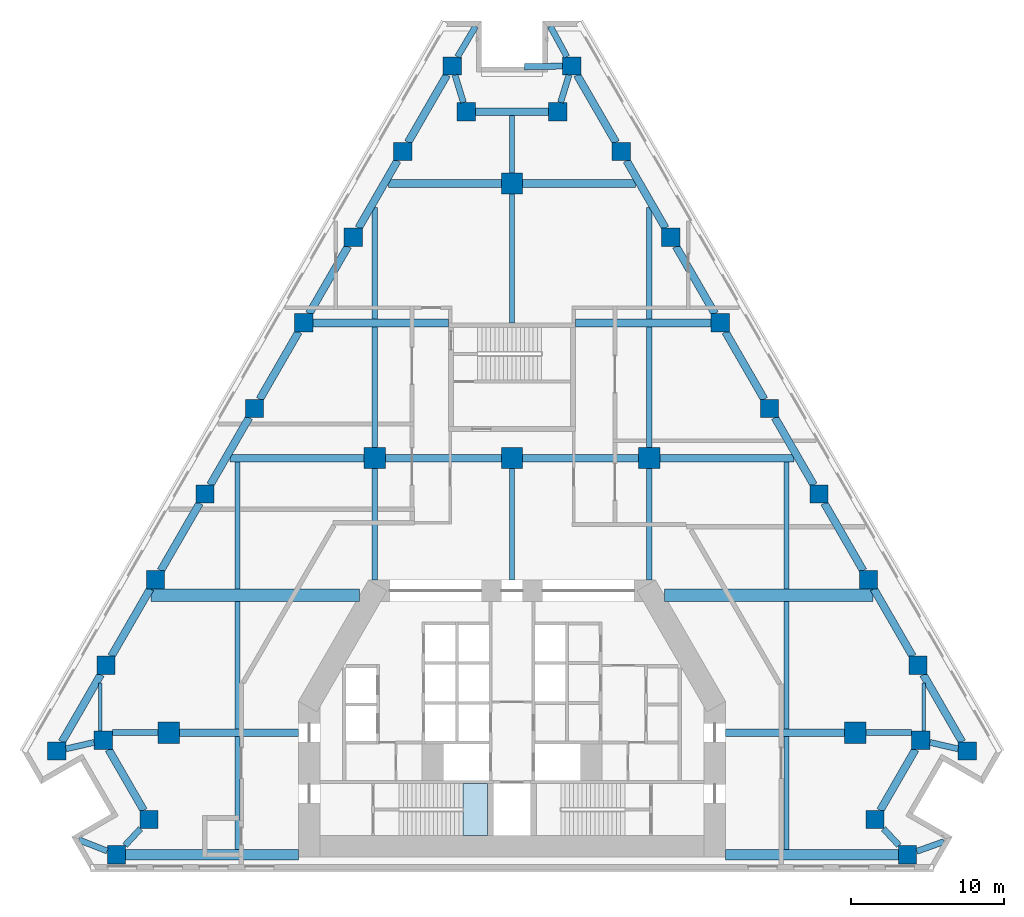
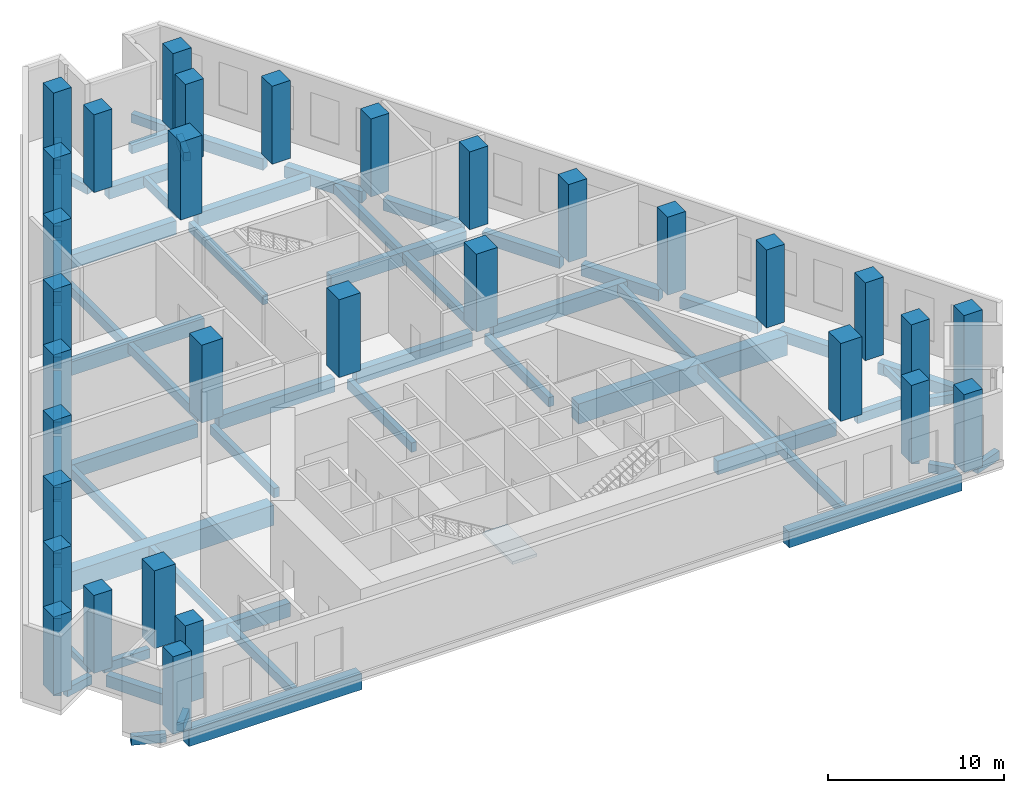
# One storey, part 1 of 10: 63 beams, 32 columns, 1 slab, 1 element without a shape of its own.
"""IFC4 building model written with IfcOpenShell, lengths in metres."""

from ifc_helpers import new_model, si_unit, direction, frame, origin, origin_2d, place, context, subcontext, project, spatial, polyline, rectangle, outline, extrude, material, layer, layer_set, material_profile, profile_set, type_object, element, aggregate, save


model = new_model("IFC4")

# Units and contexts
model_context = context("Model", 3, precision=1e-05, world=origin(), true_north=direction((0.0, 1.0)))
body_context = subcontext(model_context, "Body", "Model", "MODEL_VIEW")
ifc_project = project(units=[si_unit("LENGTHUNIT", "METRE"), si_unit("AREAUNIT", "SQUARE_METRE"), si_unit("VOLUMEUNIT", "CUBIC_METRE"), si_unit("PLANEANGLEUNIT", "RADIAN"), si_unit("MASSUNIT", "GRAM", prefix="KILO")], contexts=[model_context])

# Site, building, storey
site_placement = place(None, origin())
site = spatial("IfcSite", under=ifc_project, at=site_placement, CompositionType="ELEMENT")
building_placement = place(site_placement, origin())
building = spatial("IfcBuilding", under=site, at=building_placement, Name="Fogline Exchange Tower", CompositionType="ELEMENT")
storey_placement = place(building_placement, frame((0.0, 0.0, 47.5)))
storey = spatial("IfcBuildingStorey", under=building, at=storey_placement, Name="L09", CompositionType="ELEMENT", Elevation=47.5)

# Columns
ifc_material_1 = material(Name="Concrete C80", Category="concrete")
ifc_material_profile_1 = material_profile(ifc_material_1, rectangle(XDim=1.199951171875, YDim=1.199951171875, at=origin_2d()), Name="RC 1200x1200")
ifc_profile_set_1 = profile_set([ifc_material_profile_1], Name="Concrete C80")
column_type_1 = type_object("IfcColumnType", Name="C01", PredefinedType="COLUMN", material=ifc_profile_set_1)
for number, where, z_axis, x_axis, name in (
    (1, (-29.855712890625, 7.794189453125, 0.0), (0.0, 0.0, 1.0), (1.0, 0.0, 0.0), "SW-a"),
    (2, (-26.79638671875, 8.4951171875, 0.0), (0.0, 0.0, 1.0), (1.0, 0.0, 0.0), "SW-p4"),
    (3, (-23.79638671875, 3.299072265625, 0.0), (0.0, 0.0, 1.0), (1.0, 0.0, 0.0), "SW-p3"),
    (4, (-25.93310546875, 1.0, 0.0), (0.0, 0.0, 1.0), (1.0, 0.0, 0.0), "SW-b"),
    (5, (25.93310546875, 1.0, 0.0), (0.0, 0.0, 1.0), (1.0, 0.0, 0.0), "SE-a"),
    (6, (23.79638671875, 3.299072265625, 0.0), (0.0, 0.0, 1.0), (1.0, 0.0, 0.0), "SE-p4"),
    (7, (26.79638671875, 8.4951171875, 0.0), (0.0, 0.0, 1.0), (1.0, 0.0, 0.0), "SE-p3"),
    (8, (29.855712890625, 7.794189453125, 0.0), (0.0, 0.0, 1.0), (1.0, 0.0, 0.0), "SE-b"),
    (9, (26.614013671875, 13.408935546875, 0.0), (0.0, 0.0, 1.0), (1.0, 0.0, 0.0), "E1"),
    (10, (23.37255859375, 19.023681640625, 0.0), (0.0, 0.0, 1.0), (1.0, 0.0, 0.0), "E2"),
    (11, (20.130859375, 24.63818359375, 0.0), (0.0, 0.0, 1.0), (1.0, 0.0, 0.0), "E3"),
    (12, (16.88916015625, 30.2529296875, 0.0), (0.0, 0.0, 1.0), (1.0, 0.0, 0.0), "E4"),
    (13, (13.647705078125, 35.86767578125, 0.0), (0.0, 0.0, 1.0), (1.0, 0.0, 0.0), "E5"),
    (14, (10.406005859375, 41.482421875, 0.0), (0.0, 0.0, 1.0), (1.0, 0.0, 0.0), "E6"),
    (15, (7.164306640625, 47.096923828125, 0.0), (0.0, 0.0, 1.0), (1.0, 0.0, 0.0), "E7"),
    (16, (3.922607421875, 52.711669921875, 0.0), (0.0, 0.0, 1.0), (1.0, 0.0, 0.0), "N-a"),
    (17, (3.0, 49.711669921875, 0.0), (0.0, 0.0, 1.0), (1.0, 0.0, 0.0), "N-p4"),
    (18, (-3.0, 49.711669921875, 0.0), (0.0, 0.0, 1.0), (1.0, 0.0, 0.0), "N-p3"),
    (19, (-3.922607421875, 52.711669921875, 0.0), (0.0, 0.0, 1.0), (1.0, 0.0, 0.0), "N-b"),
    (20, (-7.164306640625, 47.096923828125, 0.0), (0.0, 0.0, 1.0), (1.0, 0.0, 0.0), "W1"),
    (21, (-10.406005859375, 41.482421875, 0.0), (0.0, 0.0, 1.0), (1.0, 0.0, 0.0), "W2"),
    (22, (-13.647705078125, 35.86767578125, 0.0), (0.0, 0.0, 1.0), (1.0, 0.0, 0.0), "W3"),
    (23, (-16.88916015625, 30.2529296875, 0.0), (0.0, 0.0, 1.0), (1.0, 0.0, 0.0), "W4"),
    (24, (-20.130859375, 24.63818359375, 0.0), (0.0, 0.0, 1.0), (1.0, 0.0, 0.0), "W5"),
    (25, (-23.37255859375, 19.023681640625, 0.0), (0.0, 0.0, 1.0), (1.0, 0.0, 0.0), "W6"),
    (26, (-26.614013671875, 13.408935546875, 0.0), (0.0, 0.0, 1.0), (1.0, 0.0, 0.0), "W7"),
):
    element("IfcColumn", number, at=place(storey_placement, frame(where, z_axis=z_axis, x_axis=x_axis)), inside=storey, type_object=column_type_1, Name=name, PredefinedType="COLUMN", context=body_context, shape_type="SweptSolid", body=[
        extrude(rectangle(XDim=1.199951171875, YDim=1.199951171875, at=origin_2d()), origin(), (0.0, 0.0, 1.0), 5.39990234375),
    ])
ifc_material_profile_2 = material_profile(ifc_material_1, rectangle(XDim=1.39990234375, YDim=1.39990234375, at=origin_2d()), Name="RC 1400x1400")
ifc_profile_set_2 = profile_set([ifc_material_profile_2], Name="Concrete C80")
column_type_2 = type_object("IfcColumnType", Name="C02", PredefinedType="COLUMN", material=ifc_profile_set_2)
for number, where, z_axis, x_axis, name in (
    (27, (-9.0, 27.0, 0.0), (0.0, 0.0, 1.0), (1.0, 0.0, 0.0), "IC--9-27"),
    (28, (0.0, 27.0, 0.0), (0.0, 0.0, 1.0), (1.0, 0.0, 0.0), "IC-0-27"),
    (29, (9.0, 27.0, 0.0), (0.0, 0.0, 1.0), (1.0, 0.0, 0.0), "IC-9-27"),
    (30, (0.0, 45.0, 0.0), (0.0, 0.0, 1.0), (1.0, 0.0, 0.0), "IC-0-45"),
    (31, (-22.5, 9.0, 0.0), (0.0, 0.0, 1.0), (1.0, 0.0, 0.0), "IC--225-9"),
    (32, (22.5, 9.0, 0.0), (0.0, 0.0, 1.0), (1.0, 0.0, 0.0), "IC-225-9"),
):
    element("IfcColumn", number, at=place(storey_placement, frame(where, z_axis=z_axis, x_axis=x_axis)), inside=storey, type_object=column_type_2, Name=name, PredefinedType="COLUMN", context=body_context, shape_type="SweptSolid", body=[
        extrude(rectangle(XDim=1.39990234375, YDim=1.39990234375, at=origin_2d()), origin(), (0.0, 0.0, 1.0), 5.39990234375),
    ])

# Beams
ifc_material_2 = material(Name="Concrete C40", Category="concrete")
ifc_material_profile_3 = material_profile(ifc_material_2, rectangle(XDim=0.300048828125, YDim=0.60009765625, at=origin_2d()), Name="RC 300x600")
ifc_profile_set_3 = profile_set([ifc_material_profile_3], Name="Concrete C40")
beam_type_1 = type_object("IfcBeamType", Name="B06", PredefinedType="BEAM", material=ifc_profile_set_3)
beam_1_placement = place(storey_placement, frame((0.0, 45.699951171875, -0.60009765625), z_axis=(0.0, 1.0, 0.0), x_axis=(-1.0, 0.0, 0.0)))
element("IfcBeam", 33, at=beam_1_placement, inside=storey, type_object=beam_type_1, Name="SB010", PredefinedType="BEAM", context=body_context, shape_type="SweptSolid", body=[
    extrude(rectangle(XDim=0.300048828125, YDim=0.60009765625, at=origin_2d()), origin(), (0.0, 0.0, 1.0), 3.76171875),
])
ifc_material_profile_4 = material_profile(ifc_material_2, rectangle(XDim=0.25, YDim=0.5, at=origin_2d()), Name="RC 250x500")
ifc_profile_set_4 = profile_set([ifc_material_profile_4], Name="Concrete C40")
beam_type_2 = type_object("IfcBeamType", Name="B08", PredefinedType="BEAM", material=ifc_profile_set_4)
for number, where, z_axis, x_axis, name in (
    (34, (-27.0, 9.09521484375, -0.550048828125), (0.0, 1.0, 0.0), (-1.0, 0.0, 0.0), "SB001"),
    (35, (27.0, 9.09521484375, -0.550048828125), (0.0, 1.0, 0.0), (-1.0, 0.0, 0.0), "SB017"),
):
    element("IfcBeam", number, at=place(storey_placement, frame(where, z_axis=z_axis, x_axis=x_axis)), inside=storey, type_object=beam_type_2, Name=name, PredefinedType="BEAM", context=body_context, shape_type="SweptSolid", body=[
        extrude(rectangle(XDim=0.25, YDim=0.5, at=origin_2d()), origin(), (0.0, 0.0, 1.0), 3.145263671875),
    ])
ifc_material_profile_5 = material_profile(ifc_material_2, rectangle(XDim=0.5, YDim=0.800048828125, at=origin_2d()), Name="RC 500x800")
ifc_profile_set_5 = profile_set([ifc_material_profile_5], Name="Concrete C40")
beam_type_3 = type_object("IfcBeamType", Name="B10", PredefinedType="BEAM", material=ifc_profile_set_5)
for number, where, z_axis, x_axis, name in (
    (36, (-26.449951171875, 7.895263671875, -0.699951171875), (0.500014024385, -0.866017306651, 0.0), (0.866017306651, 0.500014024385, 0.0), "RB002"),
    (37, (24.142578125, 3.89892578125, -0.699951171875), (0.500014024385, 0.866017306651, 0.0), (-0.866017306651, 0.500014024385, 0.0), "RB007"),
):
    element("IfcBeam", number, at=place(storey_placement, frame(where, z_axis=z_axis, x_axis=x_axis)), inside=storey, type_object=beam_type_3, Name=name, PredefinedType="BEAM", context=body_context, shape_type="SweptSolid", body=[
        extrude(rectangle(XDim=0.5, YDim=0.800048828125, at=origin_2d()), origin(), (0.0, 0.0, 1.0), 4.614501953125),
    ])
beam_2_placement = place(storey_placement, frame((29.50927734375, 8.394287109375, -0.699951171875), z_axis=(-0.500012659481, 0.866018094706, 0.0), x_axis=(-0.866018094706, -0.500012659481, 0.0)))
element("IfcBeam", 38, at=beam_2_placement, inside=storey, type_object=beam_type_3, Name="RB009", PredefinedType="BEAM", context=body_context, shape_type="SweptSolid", body=[
    extrude(rectangle(XDim=0.5, YDim=0.800048828125, at=origin_2d()), origin(), (0.0, 0.0, 1.0), 5.097412109375),
])
for number, where, z_axis, x_axis, name in (
    (39, (26.267578125, 14.0087890625, -0.699951171875), (-0.499956000529, 0.8660508054, 0.0), (-0.8660508054, -0.499956000529, 0.0), "RB010"),
    (40, (23.026123046875, 19.62353515625, -0.699951171875), (-0.499991921166, 0.866030068051, 0.0), (-0.866030068051, -0.499991921166, 0.0), "RB011"),
):
    element("IfcBeam", number, at=place(storey_placement, frame(where, z_axis=z_axis, x_axis=x_axis)), inside=storey, type_object=beam_type_3, Name=name, PredefinedType="BEAM", context=body_context, shape_type="SweptSolid", body=[
        extrude(rectangle(XDim=0.5, YDim=0.800048828125, at=origin_2d()), origin(), (0.0, 0.0, 1.0), 5.09765625),
    ])
beam_3_placement = place(storey_placement, frame((19.784423828125, 25.23828125, -0.699951171875), z_axis=(-0.500012659481, 0.866018094706, 0.0), x_axis=(-0.866018094706, -0.500012659481, 0.0)))
element("IfcBeam", 41, at=beam_3_placement, inside=storey, type_object=beam_type_3, Name="RB012", PredefinedType="BEAM", context=body_context, shape_type="SweptSolid", body=[
    extrude(rectangle(XDim=0.5, YDim=0.800048828125, at=origin_2d()), origin(), (0.0, 0.0, 1.0), 5.097412109375),
])
for number, where, z_axis, x_axis, name in (
    (42, (16.542724609375, 30.852783203125, -0.699951171875), (-0.499991921166, 0.866030068051, 0.0), (-0.866030068051, -0.499991921166, 0.0), "RB013"),
    (43, (13.301025390625, 36.467529296875, -0.699951171875), (-0.499991921166, 0.866030068051, 0.0), (-0.866030068051, -0.499991921166, 0.0), "RB014"),
    (44, (10.0595703125, 42.082275390625, -0.699951171875), (-0.499991921166, 0.866030068051, 0.0), (-0.866030068051, -0.499991921166, 0.0), "RB015"),
    (45, (6.81787109375, 47.697021484375, -0.699951171875), (-0.499991921166, 0.866030068051, 0.0), (-0.866030068051, -0.499991921166, 0.0), "RB016"),
):
    element("IfcBeam", number, at=place(storey_placement, frame(where, z_axis=z_axis, x_axis=x_axis)), inside=storey, type_object=beam_type_3, Name=name, PredefinedType="BEAM", context=body_context, shape_type="SweptSolid", body=[
        extrude(rectangle(XDim=0.5, YDim=0.800048828125, at=origin_2d()), origin(), (0.0, 0.0, 1.0), 5.09765625),
    ])
beam_4_placement = place(storey_placement, frame((2.39990234375, 49.711669921875, -0.699951171875), z_axis=(-1.0, 0.0, 0.0), x_axis=(0.0, -1.0, 0.0)))
element("IfcBeam", 46, at=beam_4_placement, inside=storey, type_object=beam_type_3, Name="RB018", PredefinedType="BEAM", context=body_context, shape_type="SweptSolid", body=[
    extrude(rectangle(XDim=0.5, YDim=0.800048828125, at=origin_2d()), origin(), (0.0, 0.0, 1.0), 4.7998046875),
])
for number, where, z_axis, x_axis, name in (
    (47, (-4.26904296875, 52.11181640625, -0.699951171875), (-0.499991921166, -0.866030068051, 0.0), (0.866030068051, -0.499991921166, 0.0), "RB020"),
    (48, (-7.5107421875, 46.4970703125, -0.699951171875), (-0.499991921166, -0.866030068051, 0.0), (0.866030068051, -0.499991921166, 0.0), "RB021"),
    (49, (-10.752197265625, 40.88232421875, -0.699951171875), (-0.499991921166, -0.866030068051, 0.0), (0.866030068051, -0.499991921166, 0.0), "RB022"),
    (50, (-13.993896484375, 35.267578125, -0.699951171875), (-0.499991921166, -0.866030068051, 0.0), (0.866030068051, -0.499991921166, 0.0), "RB023"),
):
    element("IfcBeam", number, at=place(storey_placement, frame(where, z_axis=z_axis, x_axis=x_axis)), inside=storey, type_object=beam_type_3, Name=name, PredefinedType="BEAM", context=body_context, shape_type="SweptSolid", body=[
        extrude(rectangle(XDim=0.5, YDim=0.800048828125, at=origin_2d()), origin(), (0.0, 0.0, 1.0), 5.09765625),
    ])
beam_5_placement = place(storey_placement, frame((-17.235595703125, 29.65283203125, -0.699951171875), z_axis=(-0.500012659481, -0.866018094706, 0.0), x_axis=(0.866018094706, -0.500012659481, 0.0)))
element("IfcBeam", 51, at=beam_5_placement, inside=storey, type_object=beam_type_3, Name="RB024", PredefinedType="BEAM", context=body_context, shape_type="SweptSolid", body=[
    extrude(rectangle(XDim=0.5, YDim=0.800048828125, at=origin_2d()), origin(), (0.0, 0.0, 1.0), 5.097412109375),
])
for number, where, z_axis, x_axis, name in (
    (52, (-20.477294921875, 24.038330078125, -0.699951171875), (-0.499991921166, -0.866030068051, 0.0), (0.866030068051, -0.499991921166, 0.0), "RB025"),
    (53, (-23.718994140625, 18.423583984375, -0.699951171875), (-0.499956000529, -0.8660508054, 0.0), (0.8660508054, -0.499956000529, 0.0), "RB026"),
):
    element("IfcBeam", number, at=place(storey_placement, frame(where, z_axis=z_axis, x_axis=x_axis)), inside=storey, type_object=beam_type_3, Name=name, PredefinedType="BEAM", context=body_context, shape_type="SweptSolid", body=[
        extrude(rectangle(XDim=0.5, YDim=0.800048828125, at=origin_2d()), origin(), (0.0, 0.0, 1.0), 5.09765625),
    ])
beam_6_placement = place(storey_placement, frame((-26.96044921875, 12.808837890625, -0.699951171875), z_axis=(-0.500012659481, -0.866018094706, 0.0), x_axis=(0.866018094706, -0.500012659481, 0.0)))
element("IfcBeam", 54, at=beam_6_placement, inside=storey, type_object=beam_type_3, Name="RB027", PredefinedType="BEAM", context=body_context, shape_type="SweptSolid", body=[
    extrude(rectangle(XDim=0.5, YDim=0.800048828125, at=origin_2d()), origin(), (0.0, 0.0, 1.0), 5.097412109375),
])
ifc_material_profile_6 = material_profile(ifc_material_2, rectangle(XDim=0.39990234375, YDim=0.60009765625, at=origin_2d()), Name="RC 400x600")
ifc_profile_set_6 = profile_set([ifc_material_profile_6], Name="Concrete C40")
beam_type_4 = type_object("IfcBeamType", Name="B11", PredefinedType="BEAM", material=ifc_profile_set_6)
beam_7_placement = place(storey_placement, frame((-29.255615234375, 7.931640625, -0.60009765625), z_axis=(0.974741606569, 0.223335622829, 0.0), x_axis=(-0.223335622829, 0.974741606569, 0.0)))
element("IfcBeam", 55, at=beam_7_placement, inside=storey, type_object=beam_type_4, Name="RB001", PredefinedType="BEAM", context=body_context, shape_type="SweptSolid", body=[
    extrude(rectangle(XDim=0.39990234375, YDim=0.60009765625, at=origin_2d()), origin(), (0.0, 0.0, 1.0), 1.907470703125),
])
for number, where, z_axis, x_axis, name in (
    (56, (-24.35400390625, 2.698974609375, -0.60009765625), (-0.680844217962, -0.732428256464, 0.0), (0.732428256464, -0.680844217962, 0.0), "RB003"),
    (57, (25.37548828125, 1.60009765625, -0.60009765625), (-0.680844217962, 0.732428256464, 0.0), (-0.732428256464, -0.680844217962, 0.0), "RB006"),
):
    element("IfcBeam", number, at=place(storey_placement, frame(where, z_axis=z_axis, x_axis=x_axis)), inside=storey, type_object=beam_type_4, Name=name, PredefinedType="BEAM", context=body_context, shape_type="SweptSolid", body=[
        extrude(rectangle(XDim=0.39990234375, YDim=0.60009765625, at=origin_2d()), origin(), (0.0, 0.0, 1.0), 1.500244140625),
    ])
beam_8_placement = place(storey_placement, frame((27.396240234375, 8.357666015625, -0.60009765625), z_axis=(0.974741606569, -0.223335622829, 0.0), x_axis=(0.223335622829, 0.974741606569, 0.0)))
element("IfcBeam", 58, at=beam_8_placement, inside=storey, type_object=beam_type_4, Name="RB008", PredefinedType="BEAM", context=body_context, shape_type="SweptSolid", body=[
    extrude(rectangle(XDim=0.39990234375, YDim=0.60009765625, at=origin_2d()), origin(), (0.0, 0.0, 1.0), 1.907470703125),
])
for number, where, z_axis, x_axis, name in (
    (59, (3.738037109375, 52.11181640625, -0.60009765625), (-0.293894535925, -0.955837853275, 0.0), (0.955837853275, -0.293894535925, 0.0), "RB017"),
    (60, (-3.1845703125, 50.311767578125, -0.60009765625), (-0.293894535925, 0.955837853275, 0.0), (-0.955837853275, -0.293894535925, 0.0), "RB019"),
):
    element("IfcBeam", number, at=place(storey_placement, frame(where, z_axis=z_axis, x_axis=x_axis)), inside=storey, type_object=beam_type_4, Name=name, PredefinedType="BEAM", context=body_context, shape_type="SweptSolid", body=[
        extrude(rectangle(XDim=0.39990234375, YDim=0.60009765625, at=origin_2d()), origin(), (0.0, 0.0, 1.0), 1.88330078125),
    ])
beam_9_placement = place(storey_placement, frame((-3.56689453125, 53.311767578125, -0.60009765625), z_axis=(0.509952439601, 0.860202597848, 0.0), x_axis=(-0.860202597848, 0.509952439601, 0.0)))
element("IfcBeam", 61, at=beam_9_placement, inside=storey, type_object=beam_type_4, Name="SP028", PredefinedType="BEAM", context=body_context, shape_type="SweptSolid", body=[
    extrude(rectangle(XDim=0.39990234375, YDim=0.60009765625, at=origin_2d()), origin(), (0.0, 0.0, 1.0), 2.319091796875),
])
beam_10_placement = place(storey_placement, frame((3.59716796875, 53.311767578125, -0.60009765625), z_axis=(-0.476868699113, 0.878974541045, 0.0), x_axis=(-0.878974541045, -0.476868699113, 0.0)))
element("IfcBeam", 62, at=beam_10_placement, inside=storey, type_object=beam_type_4, Name="SP029", PredefinedType="BEAM", context=body_context, shape_type="SweptSolid", body=[
    extrude(rectangle(XDim=0.39990234375, YDim=0.60009765625, at=origin_2d()), origin(), (0.0, 0.0, 1.0), 2.26953125),
])
beam_11_placement = place(storey_placement, frame((-26.533203125, 1.235107421875, -0.60009765625), z_axis=(-0.930952149019, 0.365141200411, 0.0), x_axis=(-0.365141200411, -0.930952149019, 0.0)))
element("IfcBeam", 63, at=beam_11_placement, inside=storey, type_object=beam_type_4, Name="SP030", PredefinedType="BEAM", context=body_context, shape_type="SweptSolid", body=[
    extrude(rectangle(XDim=0.39990234375, YDim=0.60009765625, at=origin_2d()), origin(), (0.0, 0.0, 1.0), 2.009765625),
])
beam_12_placement = place(storey_placement, frame((26.533203125, 1.214599609375, -0.60009765625), z_axis=(0.94166350691, 0.336555849383, 0.0), x_axis=(-0.336555849383, 0.94166350691, 0.0)))
element("IfcBeam", 64, at=beam_12_placement, inside=storey, type_object=beam_type_4, Name="SP031", PredefinedType="BEAM", context=body_context, shape_type="SweptSolid", body=[
    extrude(rectangle(XDim=0.39990234375, YDim=0.60009765625, at=origin_2d()), origin(), (0.0, 0.0, 1.0), 1.90283203125),
])
beam_13_placement = place(storey_placement, frame((3.322509765625, 52.70068359375, -0.60009765625), z_axis=(-0.999838380259, -0.017978135636, 0.0), x_axis=(0.017978135636, -0.999838380259, 0.0)))
element("IfcBeam", 65, at=beam_13_placement, inside=storey, type_object=beam_type_4, Name="SP032", PredefinedType="BEAM", context=body_context, shape_type="SweptSolid", body=[
    extrude(rectangle(XDim=0.39990234375, YDim=0.60009765625, at=origin_2d()), origin(), (0.0, 0.0, 1.0), 2.498779296875),
])
ifc_material_profile_7 = material_profile(ifc_material_2, rectangle(XDim=0.699951171875, YDim=1.10009765625, at=origin_2d()), Name="RC 700x1100")
ifc_profile_set_7 = profile_set([ifc_material_profile_7], Name="Concrete C40")
beam_type_5 = type_object("IfcBeamType", Name="B12", PredefinedType="BEAM", material=ifc_profile_set_7)
for number, where, z_axis, x_axis, name in (
    (66, (-25.3330078125, 1.0, -0.85009765625), (1.0, 0.0, 0.0), (0.0, 1.0, 0.0), "RB004"),
    (67, (14.0, 1.0, -0.85009765625), (1.0, 0.0, 0.0), (0.0, 1.0, 0.0), "RB005"),
):
    element("IfcBeam", number, at=place(storey_placement, frame(where, z_axis=z_axis, x_axis=x_axis)), inside=storey, type_object=beam_type_5, Name=name, PredefinedType="BEAM", context=body_context, shape_type="SweptSolid", body=[
        extrude(rectangle(XDim=0.699951171875, YDim=1.10009765625, at=origin_2d()), origin(), (0.0, 0.0, 1.0), 11.3330078125),
    ])
ifc_material_profile_8 = material_profile(ifc_material_2, rectangle(XDim=0.39990234375, YDim=0.64990234375, at=origin_2d()), Name="RC 400x650")
ifc_profile_set_8 = profile_set([ifc_material_profile_8], Name="Concrete C40")
beam_type_6 = type_object("IfcBeamType", Name="B13", PredefinedType="BEAM", material=ifc_profile_set_8)
for number, where, z_axis, x_axis, name in (
    (68, (-26.1962890625, 9.0, -0.625), (1.0, 0.0, 0.0), (0.0, 1.0, 0.0), "GB001"),
    (69, (23.199951171875, 9.0, -0.625), (1.0, 0.0, 0.0), (0.0, 1.0, 0.0), "GB004"),
):
    element("IfcBeam", number, at=place(storey_placement, frame(where, z_axis=z_axis, x_axis=x_axis)), inside=storey, type_object=beam_type_6, Name=name, PredefinedType="BEAM", context=body_context, shape_type="SweptSolid", body=[
        extrude(rectangle(XDim=0.39990234375, YDim=0.64990234375, at=origin_2d()), origin(), (0.0, 0.0, 1.0), 2.996337890625),
    ])
ifc_material_profile_9 = material_profile(ifc_material_2, rectangle(XDim=0.5, YDim=0.949951171875, at=origin_2d()), Name="RC 500x950")
ifc_profile_set_9 = profile_set([ifc_material_profile_9], Name="Concrete C40")
beam_type_7 = type_object("IfcBeamType", Name="B14", PredefinedType="BEAM", material=ifc_profile_set_9)
for number, where, z_axis, x_axis, name in (
    (70, (-21.800048828125, 9.0, -0.77490234375), (1.0, 0.0, 0.0), (0.0, 1.0, 0.0), "GB002"),
    (71, (14.0, 9.0, -0.77490234375), (1.0, 0.0, 0.0), (0.0, 1.0, 0.0), "GB003"),
):
    element("IfcBeam", number, at=place(storey_placement, frame(where, z_axis=z_axis, x_axis=x_axis)), inside=storey, type_object=beam_type_7, Name=name, PredefinedType="BEAM", context=body_context, shape_type="SweptSolid", body=[
        extrude(rectangle(XDim=0.5, YDim=0.949951171875, at=origin_2d()), origin(), (0.0, 0.0, 1.0), 7.800048828125),
    ])
beam_14_placement = place(storey_placement, frame((-18.478515625, 27.0, -0.77490234375), z_axis=(1.0, 0.0, 0.0), x_axis=(0.0, 1.0, 0.0)))
element("IfcBeam", 72, at=beam_14_placement, inside=storey, type_object=beam_type_7, Name="GB007", PredefinedType="BEAM", context=body_context, shape_type="SweptSolid", body=[
    extrude(rectangle(XDim=0.5, YDim=0.949951171875, at=origin_2d()), origin(), (0.0, 0.0, 1.0), 8.778564453125),
])
for number, where, z_axis, x_axis, name in (
    (73, (-8.300048828125, 27.0, -0.77490234375), (1.0, 0.0, 0.0), (0.0, 1.0, 0.0), "GB008"),
    (74, (0.699951171875, 27.0, -0.77490234375), (1.0, 0.0, 0.0), (0.0, 1.0, 0.0), "GB009"),
):
    element("IfcBeam", number, at=place(storey_placement, frame(where, z_axis=z_axis, x_axis=x_axis)), inside=storey, type_object=beam_type_7, Name=name, PredefinedType="BEAM", context=body_context, shape_type="SweptSolid", body=[
        extrude(rectangle(XDim=0.5, YDim=0.949951171875, at=origin_2d()), origin(), (0.0, 0.0, 1.0), 7.60009765625),
    ])
beam_15_placement = place(storey_placement, frame((9.699951171875, 27.0, -0.77490234375), z_axis=(1.0, 0.0, 0.0), x_axis=(0.0, 1.0, 0.0)))
element("IfcBeam", 75, at=beam_15_placement, inside=storey, type_object=beam_type_7, Name="GB010", PredefinedType="BEAM", context=body_context, shape_type="SweptSolid", body=[
    extrude(rectangle(XDim=0.5, YDim=0.949951171875, at=origin_2d()), origin(), (0.0, 0.0, 1.0), 8.778564453125),
])
for number, where, z_axis, x_axis, name in (
    (76, (-13.047607421875, 35.85693359375, -0.77490234375), (1.0, 0.0, 0.0), (0.0, 1.0, 0.0), "GB011"),
    (77, (4.14990234375, 35.85693359375, -0.77490234375), (1.0, 0.0, 0.0), (0.0, 1.0, 0.0), "GB012"),
):
    element("IfcBeam", number, at=place(storey_placement, frame(where, z_axis=z_axis, x_axis=x_axis)), inside=storey, type_object=beam_type_7, Name=name, PredefinedType="BEAM", context=body_context, shape_type="SweptSolid", body=[
        extrude(rectangle(XDim=0.5, YDim=0.949951171875, at=origin_2d()), origin(), (0.0, 0.0, 1.0), 8.897705078125),
    ])
for number, where, z_axis, x_axis, name in (
    (78, (-8.086181640625, 45.0, -0.77490234375), (1.0, 0.0, 0.0), (0.0, 1.0, 0.0), "GB013"),
    (79, (0.699951171875, 45.0, -0.77490234375), (1.0, 0.0, 0.0), (0.0, 1.0, 0.0), "GB014"),
):
    element("IfcBeam", number, at=place(storey_placement, frame(where, z_axis=z_axis, x_axis=x_axis)), inside=storey, type_object=beam_type_7, Name=name, PredefinedType="BEAM", context=body_context, shape_type="SweptSolid", body=[
        extrude(rectangle(XDim=0.5, YDim=0.949951171875, at=origin_2d()), origin(), (0.0, 0.0, 1.0), 7.38623046875),
    ])
ifc_material_profile_10 = material_profile(ifc_material_2, rectangle(XDim=0.800048828125, YDim=1.39990234375, at=origin_2d()), Name="RC 800x1400")
ifc_profile_set_10 = profile_set([ifc_material_profile_10], Name="Concrete C40")
beam_type_8 = type_object("IfcBeamType", Name="B15", PredefinedType="BEAM", material=ifc_profile_set_10)
for number, where, z_axis, x_axis, name in (
    (80, (-23.6748046875, 18.0, -1.0), (1.0, 0.0, 0.0), (0.0, 1.0, 0.0), "GB005"),
    (81, (9.989013671875, 18.0, -1.0), (1.0, 0.0, 0.0), (0.0, 1.0, 0.0), "GB006"),
):
    element("IfcBeam", number, at=place(storey_placement, frame(where, z_axis=z_axis, x_axis=x_axis)), inside=storey, type_object=beam_type_8, Name=name, PredefinedType="BEAM", context=body_context, shape_type="SweptSolid", body=[
        extrude(rectangle(XDim=0.800048828125, YDim=1.39990234375, at=origin_2d()), origin(), (0.0, 0.0, 1.0), 13.685791015625),
    ])
ifc_material_profile_11 = material_profile(ifc_material_2, rectangle(XDim=0.35009765625, YDim=0.64990234375, at=origin_2d()), Name="RC 350x650")
ifc_profile_set_11 = profile_set([ifc_material_profile_11], Name="Concrete C40")
beam_type_9 = type_object("IfcBeamType", Name="B16", PredefinedType="BEAM", material=ifc_profile_set_11)
beam_16_placement = place(storey_placement, frame((-18.0, 1.35009765625, -0.625), z_axis=(0.0, 1.0, 0.0), x_axis=(-1.0, 0.0, 0.0)))
element("IfcBeam", 82, at=beam_16_placement, inside=storey, type_object=beam_type_9, Name="SB002", PredefinedType="BEAM", context=body_context, shape_type="SweptSolid", body=[
    extrude(rectangle(XDim=0.35009765625, YDim=0.64990234375, at=origin_2d()), origin(), (0.0, 0.0, 1.0), 7.39990234375),
])
for number, where, z_axis, x_axis, name in (
    (83, (-18.0, 9.25, -0.625), (0.0, 1.0, 0.0), (-1.0, 0.0, 0.0), "SB003"),
    (84, (-18.0, 18.39990234375, -0.625), (0.0, 1.0, 0.0), (-1.0, 0.0, 0.0), "SB004"),
):
    element("IfcBeam", number, at=place(storey_placement, frame(where, z_axis=z_axis, x_axis=x_axis)), inside=storey, type_object=beam_type_9, Name=name, PredefinedType="BEAM", context=body_context, shape_type="SweptSolid", body=[
        extrude(rectangle(XDim=0.35009765625, YDim=0.64990234375, at=origin_2d()), origin(), (0.0, 0.0, 1.0), 8.35009765625),
    ])
beam_17_placement = place(storey_placement, frame((-9.0, 19.0, -0.625), z_axis=(0.0, 1.0, 0.0), x_axis=(-1.0, 0.0, 0.0)))
element("IfcBeam", 85, at=beam_17_placement, inside=storey, type_object=beam_type_9, Name="SB005", PredefinedType="BEAM", context=body_context, shape_type="SweptSolid", body=[
    extrude(rectangle(XDim=0.35009765625, YDim=0.64990234375, at=origin_2d()), origin(), (0.0, 0.0, 1.0), 7.300048828125),
])
beam_18_placement = place(storey_placement, frame((-9.0, 27.699951171875, -0.625), z_axis=(0.0, 1.0, 0.0), x_axis=(-1.0, 0.0, 0.0)))
element("IfcBeam", 86, at=beam_18_placement, inside=storey, type_object=beam_type_9, Name="SB006", PredefinedType="BEAM", context=body_context, shape_type="SweptSolid", body=[
    extrude(rectangle(XDim=0.35009765625, YDim=0.64990234375, at=origin_2d()), origin(), (0.0, 0.0, 1.0), 7.906982421875),
])
beam_19_placement = place(storey_placement, frame((-9.0, 36.10693359375, -0.625), z_axis=(0.0, 1.0, 0.0), x_axis=(-1.0, 0.0, 0.0)))
element("IfcBeam", 87, at=beam_19_placement, inside=storey, type_object=beam_type_9, Name="SB007", PredefinedType="BEAM", context=body_context, shape_type="SweptSolid", body=[
    extrude(rectangle(XDim=0.35009765625, YDim=0.64990234375, at=origin_2d()), origin(), (0.0, 0.0, 1.0), 7.310546875),
])
beam_20_placement = place(storey_placement, frame((0.0, 19.0, -0.625), z_axis=(0.0, 1.0, 0.0), x_axis=(-1.0, 0.0, 0.0)))
element("IfcBeam", 88, at=beam_20_placement, inside=storey, type_object=beam_type_9, Name="SB008", PredefinedType="BEAM", context=body_context, shape_type="SweptSolid", body=[
    extrude(rectangle(XDim=0.35009765625, YDim=0.64990234375, at=origin_2d()), origin(), (0.0, 0.0, 1.0), 7.300048828125),
])
beam_21_placement = place(storey_placement, frame((0.0, 35.85693359375, -0.625), z_axis=(0.0, 1.0, 0.0), x_axis=(-1.0, 0.0, 0.0)))
element("IfcBeam", 89, at=beam_21_placement, inside=storey, type_object=beam_type_9, Name="SB009", PredefinedType="BEAM", context=body_context, shape_type="SweptSolid", body=[
    extrude(rectangle(XDim=0.35009765625, YDim=0.64990234375, at=origin_2d()), origin(), (0.0, 0.0, 1.0), 8.443115234375),
])
beam_22_placement = place(storey_placement, frame((9.0, 19.0, -0.625), z_axis=(0.0, 1.0, 0.0), x_axis=(-1.0, 0.0, 0.0)))
element("IfcBeam", 90, at=beam_22_placement, inside=storey, type_object=beam_type_9, Name="SB011", PredefinedType="BEAM", context=body_context, shape_type="SweptSolid", body=[
    extrude(rectangle(XDim=0.35009765625, YDim=0.64990234375, at=origin_2d()), origin(), (0.0, 0.0, 1.0), 7.300048828125),
])
beam_23_placement = place(storey_placement, frame((9.0, 27.699951171875, -0.625), z_axis=(0.0, 1.0, 0.0), x_axis=(-1.0, 0.0, 0.0)))
element("IfcBeam", 91, at=beam_23_placement, inside=storey, type_object=beam_type_9, Name="SB012", PredefinedType="BEAM", context=body_context, shape_type="SweptSolid", body=[
    extrude(rectangle(XDim=0.35009765625, YDim=0.64990234375, at=origin_2d()), origin(), (0.0, 0.0, 1.0), 7.906982421875),
])
beam_24_placement = place(storey_placement, frame((9.0, 36.10693359375, -0.625), z_axis=(0.0, 1.0, 0.0), x_axis=(-1.0, 0.0, 0.0)))
element("IfcBeam", 92, at=beam_24_placement, inside=storey, type_object=beam_type_9, Name="SB013", PredefinedType="BEAM", context=body_context, shape_type="SweptSolid", body=[
    extrude(rectangle(XDim=0.35009765625, YDim=0.64990234375, at=origin_2d()), origin(), (0.0, 0.0, 1.0), 7.310546875),
])
beam_25_placement = place(storey_placement, frame((18.0, 1.35009765625, -0.625), z_axis=(0.0, 1.0, 0.0), x_axis=(-1.0, 0.0, 0.0)))
element("IfcBeam", 93, at=beam_25_placement, inside=storey, type_object=beam_type_9, Name="SB014", PredefinedType="BEAM", context=body_context, shape_type="SweptSolid", body=[
    extrude(rectangle(XDim=0.35009765625, YDim=0.64990234375, at=origin_2d()), origin(), (0.0, 0.0, 1.0), 7.39990234375),
])
for number, where, z_axis, x_axis, name in (
    (94, (18.0, 9.25, -0.625), (0.0, 1.0, 0.0), (-1.0, 0.0, 0.0), "SB015"),
    (95, (18.0, 18.39990234375, -0.625), (0.0, 1.0, 0.0), (-1.0, 0.0, 0.0), "SB016"),
):
    element("IfcBeam", number, at=place(storey_placement, frame(where, z_axis=z_axis, x_axis=x_axis)), inside=storey, type_object=beam_type_9, Name=name, PredefinedType="BEAM", context=body_context, shape_type="SweptSolid", body=[
        extrude(rectangle(XDim=0.35009765625, YDim=0.64990234375, at=origin_2d()), origin(), (0.0, 0.0, 1.0), 8.35009765625),
    ])

# Stair, slab
stair_type = type_object("IfcStairType", Name="STR32-1688", PredefinedType="HALF_TURN_STAIR", material=ifc_material_2)
stair_placement = place(storey_placement, origin())
stair = element("IfcStair", 96, at=stair_placement, inside=storey, type_object=stair_type, Name="Stair ST1", PredefinedType="HALF_TURN_STAIR")
ifc_layer = layer(ifc_material_2, 0.199951171875)
ifc_layer_set = layer_set([ifc_layer], Name="SL200")
slab_type = type_object("IfcSlabType", Name="SL200", PredefinedType="LANDING", material=ifc_layer_set)
slab_placement = place(storey_placement, frame((0.0, 0.0, 2.5)))
slab = element("IfcSlab", 97, at=slab_placement, type_object=slab_type, Name="ST1 landing 1", PredefinedType="LANDING", context=body_context, shape_type="SweptSolid", body=[
    extrude(outline(polyline([(-3.199951171875, 2.25), (-1.60009765625, 2.25), (-1.60009765625, 5.64990234375), (-3.199951171875, 5.64990234375), (-3.199951171875, 2.25)])), origin(), (0.0, 0.0, 1.0), 0.199951171875),
])
aggregate(stair, [slab])

save(model, "model.ifc")
